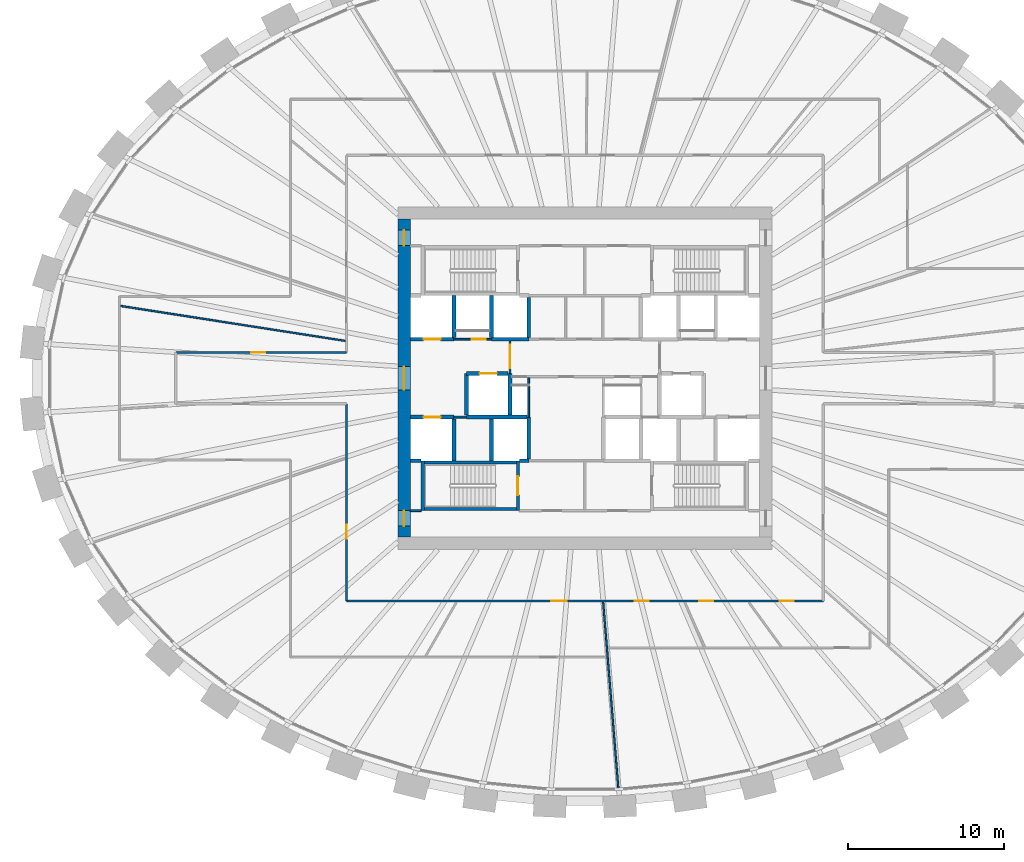
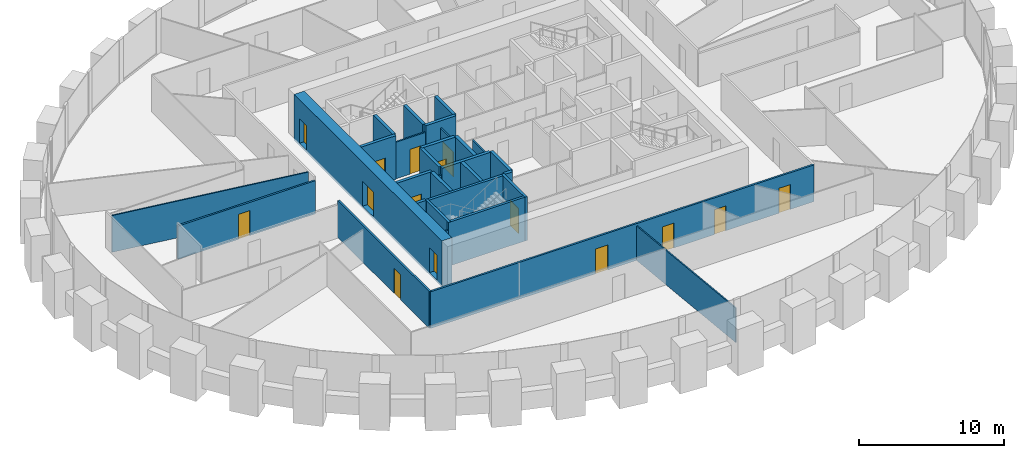
# One storey, part 6 of 11: 30 walls, 15 doors, 15 openings.
"""IFC4 building model written with IfcOpenShell, lengths in metres."""

from ifc_helpers import new_model, si_unit, direction, frame, frame_2d, origin, place, context, subcontext, project, spatial, rectangle, extrude, source, transform, mapped, material, layer, layer_set, type_object, element, fill, save


model = new_model("IFC4")

# Units and contexts
model_context = context("Model", 3, precision=1e-05, world=origin(), true_north=direction((0.0, 1.0)))
body_context = subcontext(model_context, "Body", "Model", "MODEL_VIEW")
ifc_project = project(units=[si_unit("LENGTHUNIT", "METRE"), si_unit("AREAUNIT", "SQUARE_METRE"), si_unit("VOLUMEUNIT", "CUBIC_METRE"), si_unit("PLANEANGLEUNIT", "RADIAN"), si_unit("MASSUNIT", "GRAM", prefix="KILO")], contexts=[model_context])

# Site, building, storey
site_placement = place(None, origin())
site = spatial("IfcSite", under=ifc_project, at=site_placement, CompositionType="ELEMENT")
building_placement = place(site_placement, origin())
building = spatial("IfcBuilding", under=site, at=building_placement, Name="Embergate Tower", CompositionType="ELEMENT")
storey_placement = place(building_placement, frame((0.0, 0.0, 215.10009765625)))
storey = spatial("IfcBuildingStorey", under=building, at=storey_placement, Name="L49", CompositionType="ELEMENT", Elevation=215.10009765625)

# Wall, openings, doors
ifc_material_1 = material(Name="Concrete C70", Category="concrete")
ifc_layer_1 = layer(ifc_material_1, 0.800048828125)
ifc_layer_set_1 = layer_set([ifc_layer_1], Name="Concrete C70")
wall_type_1 = type_object("IfcWallType", Name="Core outer wall C70 800", PredefinedType="SHEAR", material=ifc_layer_set_1)
shared_shape_1 = source(origin(), body_context, "Body", "SweptSolid", [
    extrude(rectangle(XDim=20.39990234375, YDim=0.800048828125, at=frame_2d((10.199951171875, 0.0))), origin(), (0.0, 0.0, 1.0), 3.900146484375),
])
wall_1_placement = place(storey_placement, frame((-11.60009765625, -10.199951171875, -0.2001953125), z_axis=(0.0, 0.0, 1.0), x_axis=(0.0, 1.0, 0.0)))
wall_1 = element("IfcWall", 1, at=wall_1_placement, inside=storey, type_object=wall_type_1, Name="CW-L49-W", PredefinedType="SHEAR", context=body_context, shape_type="MappedRepresentation", body=[
    mapped(shared_shape_1, transform((0.0, 0.0, 0.0))),
])
shared_shape_2 = source(origin(), body_context, "Body", "SweptSolid", [
    extrude(rectangle(XDim=1.0, YDim=2.10009765625, at=frame_2d((0.5, 1.050048828125))), frame((0.0, 0.409912109375, 0.0), z_axis=(0.0, -1.0, 0.0), x_axis=(1.0, 0.0, 0.0)), (0.0, 0.0, 1.0), 0.820068359375),
])
opening_1_placement = place(wall_1_placement, frame((18.699951171875, 0.0, 0.199951171875)))
opening_1 = element("IfcOpeningElement", 2, at=opening_1_placement, cuts=wall_1, Name="Opening IF-1d", PredefinedType="OPENING", context=body_context, shape_type="MappedRepresentation", body=[
    mapped(shared_shape_2, transform((0.0, 0.0, 0.0))),
])
opening_2_placement = place(wall_1_placement, frame((0.699951171875, 0.0, 0.199951171875)))
opening_2 = element("IfcOpeningElement", 3, at=opening_2_placement, cuts=wall_1, Name="Opening IF-1d", PredefinedType="OPENING", context=body_context, shape_type="MappedRepresentation", body=[
    mapped(shared_shape_2, transform((0.0, 0.0, 0.0))),
])
shared_shape_3 = source(origin(), body_context, "Body", "SweptSolid", [
    extrude(rectangle(XDim=1.5, YDim=2.10009765625, at=frame_2d((0.75, 1.050048828125))), frame((0.0, 0.409912109375, 0.0), z_axis=(0.0, -1.0, 0.0), x_axis=(1.0, 0.0, 0.0)), (0.0, 0.0, 1.0), 0.820068359375),
])
opening_3_placement = place(wall_1_placement, frame((9.449951171875, 0.0, 0.199951171875)))
opening_3 = element("IfcOpeningElement", 4, at=opening_3_placement, cuts=wall_1, Name="Opening IF-3", PredefinedType="OPENING", context=body_context, shape_type="MappedRepresentation", body=[
    mapped(shared_shape_3, transform((0.0, 0.0, 0.0))),
])
ifc_material_2 = material(Name="Lobby fire door pair 1500")
door_type_1 = type_object("IfcDoorType", Name="Lobby fire door pair 1500", OperationType="DOUBLE_DOOR_SINGLE_SWING", PredefinedType="DOOR", material=ifc_material_2)
shared_shape_4 = source(origin(), body_context, "Body", "SweptSolid", [
    extrude(rectangle(XDim=1.5, YDim=2.10009765625, at=frame_2d((0.75, 1.050048828125))), frame((0.0, 0.02490234375, 0.0), z_axis=(0.0, -1.0, 0.0), x_axis=(1.0, 0.0, 0.0)), (0.0, 0.0, 1.0), 0.050048828125),
])
door_1_placement = place(opening_3_placement, origin())
door_1 = element("IfcDoor", 5, at=door_1_placement, inside=storey, type_object=door_type_1, Name="IF-3 door", OperationType="DOUBLE_DOOR_SINGLE_SWING", OverallHeight=2.10009765625, OverallWidth=1.5, PredefinedType="DOOR", context=body_context, shape_type="MappedRepresentation", body=[
    mapped(shared_shape_4, transform((0.0, 0.0, 0.0))),
])
fill(opening_3, door_1)
ifc_material_3 = material(Name="Escape fire door 1000")
door_type_2 = type_object("IfcDoorType", Name="Escape fire door 1000", OperationType="SINGLE_SWING_LEFT", PredefinedType="DOOR", material=ifc_material_3)
shared_shape_5 = source(origin(), body_context, "Body", "SweptSolid", [
    extrude(rectangle(XDim=1.0, YDim=2.10009765625, at=frame_2d((0.5, 1.050048828125))), frame((0.0, 0.02490234375, 0.0), z_axis=(0.0, -1.0, 0.0), x_axis=(1.0, 0.0, 0.0)), (0.0, 0.0, 1.0), 0.050048828125),
])
door_2_placement = place(opening_1_placement, origin())
door_2 = element("IfcDoor", 6, at=door_2_placement, inside=storey, type_object=door_type_2, Name="IF-1 door", OperationType="SINGLE_SWING_LEFT", OverallHeight=2.10009765625, OverallWidth=1.0, PredefinedType="DOOR", context=body_context, shape_type="MappedRepresentation", body=[
    mapped(shared_shape_5, transform((0.0, 0.0, 0.0))),
])
fill(opening_1, door_2)
door_3_placement = place(opening_2_placement, origin())
door_3 = element("IfcDoor", 7, at=door_3_placement, inside=storey, type_object=door_type_2, Name="IF-1 door", OperationType="SINGLE_SWING_RIGHT", OverallHeight=2.10009765625, OverallWidth=1.0, PredefinedType="DOOR", context=body_context, shape_type="MappedRepresentation", body=[
    mapped(shared_shape_5, transform((0.0, 0.0, 0.0))),
])
fill(opening_2, door_3)

# Walls
ifc_material_4 = material(Name="Concrete C50", Category="concrete")
ifc_layer_2 = layer(ifc_material_4, 0.25)
ifc_layer_set_2 = layer_set([ifc_layer_2], Name="Concrete C50")
wall_type_2 = type_object("IfcWallType", Name="Hoistway wall reinforced concrete 250", PredefinedType="SHEAR", material=ifc_layer_set_2)
shared_shape_6 = source(origin(), body_context, "Body", "SweptSolid", [
    extrude(rectangle(XDim=2.675048828125, YDim=0.25, at=frame_2d((1.33740234375, 0.0))), origin(), (0.0, 0.0, 1.0), 3.699951171875),
])
for number, where, z_axis, x_axis, name in (
    (8, (-8.39990234375, 2.625, 0.0), (0.0, 0.0, 1.0), (0.0, 1.0, 0.0), "HW-1 wall"),
    (9, (-6.0, 2.625, 0.0), (0.0, 0.0, 1.0), (0.0, 1.0, 0.0), "HW-1 wall"),
    (10, (-3.60009765625, -5.175048828125, 0.0), (0.0, 0.0, 1.0), (0.0, 1.0, 0.0), "HW-1 wall"),
    (11, (-4.800048828125, 0.300048828125, 0.0), (0.0, 0.0, 1.0), (0.0, -1.0, 0.0), "HW-1 wall"),
):
    element("IfcWall", number, at=place(storey_placement, frame(where, z_axis=z_axis, x_axis=x_axis)), inside=storey, type_object=wall_type_2, Name=name, PredefinedType="SHEAR", context=body_context, shape_type="MappedRepresentation", body=[
        mapped(shared_shape_6, transform((0.0, 0.0, 0.0))),
    ])

# Wall, opening, door
wall_2_placement = place(storey_placement, frame((-4.925048828125, 0.300048828125, 0.0), z_axis=(0.0, 0.0, 1.0), x_axis=(-1.0, 0.0, 0.0)))
wall_2 = element("IfcWall", 12, at=wall_2_placement, inside=storey, type_object=wall_type_2, Name="HW-1 wall", PredefinedType="SHEAR", context=body_context, shape_type="MappedRepresentation", body=[
    mapped(shared_shape_6, transform((0.0, 0.0, 0.0))),
])
shared_shape_7 = source(origin(), body_context, "Body", "SweptSolid", [
    extrude(rectangle(XDim=1.10009765625, YDim=2.10009765625, at=frame_2d((0.550048828125, 1.050048828125))), frame((0.0, 0.135009765625, 0.0), z_axis=(0.0, -1.0, 0.0), x_axis=(1.0, 0.0, 0.0)), (0.0, 0.0, 1.0), 0.27001953125),
])
opening_4_placement = place(wall_2_placement, frame((0.72509765625, 0.0, 0.0)))
opening_4 = element("IfcOpeningElement", 13, at=opening_4_placement, cuts=wall_2, Name="Opening LD", PredefinedType="OPENING", context=body_context, shape_type="MappedRepresentation", body=[
    mapped(shared_shape_7, transform((0.0, 0.0, 0.0))),
])
ifc_material_5 = material(Name="Landing door sliding 1100")
door_type_3 = type_object("IfcDoorType", Name="Landing door sliding 1100", OperationType="SLIDING_TO_LEFT", PredefinedType="DOOR", material=ifc_material_5)
shared_shape_8 = source(origin(), body_context, "Body", "SweptSolid", [
    extrude(rectangle(XDim=1.10009765625, YDim=2.10009765625, at=frame_2d((0.550048828125, 1.050048828125))), frame((0.0, 0.02490234375, 0.0), z_axis=(0.0, -1.0, 0.0), x_axis=(1.0, 0.0, 0.0)), (0.0, 0.0, 1.0), 0.050048828125),
])
door_4_placement = place(opening_4_placement, origin())
door_4 = element("IfcDoor", 14, at=door_4_placement, inside=storey, type_object=door_type_3, Name="LD door", OperationType="SLIDING_TO_RIGHT", OverallHeight=2.10009765625, OverallWidth=1.10009765625, PredefinedType="DOOR", context=body_context, shape_type="MappedRepresentation", body=[
    mapped(shared_shape_8, transform((0.0, 0.0, 0.0))),
])
fill(opening_4, door_4)

# Walls
wall_3_placement = place(storey_placement, frame((-7.60009765625, 0.300048828125, 0.0), z_axis=(0.0, 0.0, 1.0), x_axis=(0.0, -1.0, 0.0)))
element("IfcWall", 15, at=wall_3_placement, inside=storey, type_object=wall_type_2, Name="HW-1 wall", PredefinedType="SHEAR", context=body_context, shape_type="MappedRepresentation", body=[
    mapped(shared_shape_6, transform((0.0, 0.0, 0.0))),
])
ifc_layer_3 = layer(ifc_material_4, 0.199951171875)
ifc_layer_set_3 = layer_set([ifc_layer_3], Name="Concrete C50")
wall_type_3 = type_object("IfcWallType", Name="Stair enclosure wall reinforced concrete 250", PredefinedType="SHEAR", material=ifc_layer_set_3)
shared_shape_9 = source(origin(), body_context, "Body", "SweptSolid", [
    extrude(rectangle(XDim=6.300048828125, YDim=0.199951171875, at=frame_2d((3.14990234375, 0.0))), origin(), (0.0, 0.0, 1.0), 3.699951171875),
])
for number, where, z_axis, x_axis, name in (
    (16, (-10.5, -5.39990234375, 0.0), (0.0, 0.0, 1.0), (1.0, 0.0, 0.0), "SE-1 wall"),
    (17, (-10.5, -8.39990234375, 0.0), (0.0, 0.0, 1.0), (1.0, 0.0, 0.0), "SE-1 wall"),
):
    element("IfcWall", number, at=place(storey_placement, frame(where, z_axis=z_axis, x_axis=x_axis)), inside=storey, type_object=wall_type_3, Name=name, PredefinedType="SHEAR", context=body_context, shape_type="MappedRepresentation", body=[
        mapped(shared_shape_9, transform((0.0, 0.0, 0.0))),
    ])
shared_shape_10 = source(origin(), body_context, "Body", "SweptSolid", [
    extrude(rectangle(XDim=2.550048828125, YDim=0.25, at=frame_2d((1.27490234375, 0.0))), origin(), (0.0, 0.0, 1.0), 3.699951171875),
])
wall_4_placement = place(storey_placement, frame((-3.60009765625, 2.625, 0.0), z_axis=(0.0, 0.0, 1.0), x_axis=(0.0, 1.0, 0.0)))
element("IfcWall", 18, at=wall_4_placement, inside=storey, type_object=wall_type_2, Name="HW-1 wall", PredefinedType="SHEAR", context=body_context, shape_type="MappedRepresentation", body=[
    mapped(shared_shape_10, transform((0.0, 0.0, 0.0))),
])

# Wall, opening, door
shared_shape_11 = source(origin(), body_context, "Body", "SweptSolid", [
    extrude(rectangle(XDim=3.199951171875, YDim=0.199951171875, at=frame_2d((1.60009765625, 0.0))), origin(), (0.0, 0.0, 1.0), 3.699951171875),
])
wall_5_placement = place(storey_placement, frame((-4.300048828125, -8.5, 0.0), z_axis=(0.0, 0.0, 1.0), x_axis=(0.0, 1.0, 0.0)))
wall_5 = element("IfcWall", 19, at=wall_5_placement, inside=storey, type_object=wall_type_3, Name="SE-1 wall", PredefinedType="SHEAR", context=body_context, shape_type="MappedRepresentation", body=[
    mapped(shared_shape_11, transform((0.0, 0.0, 0.0))),
])
shared_shape_12 = source(origin(), body_context, "Body", "SweptSolid", [
    extrude(rectangle(XDim=1.199951171875, YDim=2.10009765625, at=frame_2d((0.60009765625, 1.050048828125))), frame((0.0, 0.10986328125, 0.0), z_axis=(0.0, -1.0, 0.0), x_axis=(1.0, 0.0, 0.0)), (0.0, 0.0, 1.0), 0.219970703125),
])
opening_5_placement = place(wall_5_placement, frame((1.0, 0.0, 0.0)))
opening_5 = element("IfcOpeningElement", 20, at=opening_5_placement, cuts=wall_5, Name="Opening IF-2", PredefinedType="OPENING", context=body_context, shape_type="MappedRepresentation", body=[
    mapped(shared_shape_12, transform((0.0, 0.0, 0.0))),
])
ifc_material_6 = material(Name="Stair enclosure door 1200")
door_type_4 = type_object("IfcDoorType", Name="Stair enclosure door 1200", OperationType="SINGLE_SWING_LEFT", PredefinedType="DOOR", material=ifc_material_6)
shared_shape_13 = source(origin(), body_context, "Body", "SweptSolid", [
    extrude(rectangle(XDim=1.199951171875, YDim=2.10009765625, at=frame_2d((0.60009765625, 1.050048828125))), frame((0.0, 0.02490234375, 0.0), z_axis=(0.0, -1.0, 0.0), x_axis=(1.0, 0.0, 0.0)), (0.0, 0.0, 1.0), 0.050048828125),
])
door_5_placement = place(opening_5_placement, origin())
door_5 = element("IfcDoor", 21, at=door_5_placement, inside=storey, type_object=door_type_4, Name="IF-2 door", OperationType="SINGLE_SWING_RIGHT", OverallHeight=2.10009765625, OverallWidth=1.199951171875, PredefinedType="DOOR", context=body_context, shape_type="MappedRepresentation", body=[
    mapped(shared_shape_13, transform((0.0, 0.0, 0.0))),
])
fill(opening_5, door_5)

# Wall
shared_shape_14 = source(origin(), body_context, "Body", "SweptSolid", [
    extrude(rectangle(XDim=2.39990234375, YDim=0.25, at=frame_2d((1.199951171875, 0.0))), origin(), (0.0, 0.0, 1.0), 3.699951171875),
])
wall_6_placement = place(storey_placement, frame((-6.0, 2.5, 0.0), z_axis=(0.0, 0.0, 1.0), x_axis=(1.0, 0.0, 0.0)))
element("IfcWall", 22, at=wall_6_placement, inside=storey, type_object=wall_type_2, Name="HW-1 wall", PredefinedType="SHEAR", context=body_context, shape_type="MappedRepresentation", body=[
    mapped(shared_shape_14, transform((0.0, 0.0, 0.0))),
])

# Wall, opening, door
ifc_material_7 = material(Name="Core partition blockwork 120")
ifc_layer_4 = layer(ifc_material_7, 0.1201171875)
ifc_layer_set_4 = layer_set([ifc_layer_4], Name="Core partition blockwork 120")
wall_type_4 = type_object("IfcWallType", Name="Core partition blockwork 120", PredefinedType="PARTITIONING", material=ifc_layer_set_4)
shared_shape_15 = source(origin(), body_context, "Body", "SweptSolid", [
    extrude(rectangle(XDim=2.074951171875, YDim=0.1201171875, at=frame_2d((1.03759765625, 0.0))), origin(), (0.0, 0.0, 1.0), 3.099853515625),
])
wall_7_placement = place(storey_placement, frame((-4.800048828125, 2.375, 0.0), z_axis=(0.0, 0.0, 1.0), x_axis=(0.0, -1.0, 0.0)))
wall_7 = element("IfcWall", 23, at=wall_7_placement, inside=storey, type_object=wall_type_4, Name="IP-3 wall", PredefinedType="PARTITIONING", context=body_context, shape_type="MappedRepresentation", body=[
    mapped(shared_shape_15, transform((0.0, 0.0, 0.0))),
])
shared_shape_16 = source(origin(), body_context, "Body", "SweptSolid", [
    extrude(rectangle(XDim=1.5, YDim=2.10009765625, at=frame_2d((0.75, 1.050048828125))), frame((0.0, 0.070068359375, 0.0), z_axis=(0.0, -1.0, 0.0), x_axis=(1.0, 0.0, 0.0)), (0.0, 0.0, 1.0), 0.14013671875),
])
opening_6_placement = place(wall_7_placement, frame((0.22509765625, 0.0, 0.0)))
opening_6 = element("IfcOpeningElement", 24, at=opening_6_placement, cuts=wall_7, Name="Opening IF-3", PredefinedType="OPENING", context=body_context, shape_type="MappedRepresentation", body=[
    mapped(shared_shape_16, transform((0.0, 0.0, 0.0))),
])
door_6_placement = place(opening_6_placement, origin())
door_6 = element("IfcDoor", 25, at=door_6_placement, inside=storey, type_object=door_type_1, Name="IF-3 door", OperationType="DOUBLE_DOOR_SINGLE_SWING", OverallHeight=2.10009765625, OverallWidth=1.5, PredefinedType="DOOR", context=body_context, shape_type="MappedRepresentation", body=[
    mapped(shared_shape_4, transform((0.0, 0.0, 0.0))),
])
fill(opening_6, door_6)

shared_shape_17 = source(origin(), body_context, "Body", "SweptSolid", [
    extrude(rectangle(XDim=2.800048828125, YDim=0.25, at=frame_2d((1.39990234375, 0.0))), origin(), (0.0, 0.0, 1.0), 3.699951171875),
])
wall_8_placement = place(storey_placement, frame((-11.199951171875, 2.5, 0.0), z_axis=(0.0, 0.0, 1.0), x_axis=(1.0, 0.0, 0.0)))
wall_8 = element("IfcWall", 26, at=wall_8_placement, inside=storey, type_object=wall_type_2, Name="HW-1 wall", PredefinedType="SHEAR", context=body_context, shape_type="MappedRepresentation", body=[
    mapped(shared_shape_17, transform((0.0, 0.0, 0.0))),
])
opening_7_placement = place(wall_8_placement, frame((0.85009765625, 0.0, 0.0)))
opening_7 = element("IfcOpeningElement", 27, at=opening_7_placement, cuts=wall_8, Name="Opening LD", PredefinedType="OPENING", context=body_context, shape_type="MappedRepresentation", body=[
    mapped(shared_shape_7, transform((0.0, 0.0, 0.0))),
])
door_7_placement = place(opening_7_placement, origin())
door_7 = element("IfcDoor", 28, at=door_7_placement, inside=storey, type_object=door_type_3, Name="LD door", OperationType="SLIDING_TO_LEFT", OverallHeight=2.10009765625, OverallWidth=1.10009765625, PredefinedType="DOOR", context=body_context, shape_type="MappedRepresentation", body=[
    mapped(shared_shape_8, transform((0.0, 0.0, 0.0))),
])
fill(opening_7, door_7)

wall_9_placement = place(storey_placement, frame((-8.39990234375, -2.5, 0.0), z_axis=(0.0, 0.0, 1.0), x_axis=(-1.0, 0.0, 0.0)))
wall_9 = element("IfcWall", 29, at=wall_9_placement, inside=storey, type_object=wall_type_2, Name="HW-1 wall", PredefinedType="SHEAR", context=body_context, shape_type="MappedRepresentation", body=[
    mapped(shared_shape_17, transform((0.0, 0.0, 0.0))),
])
opening_8_placement = place(wall_9_placement, frame((0.85009765625, 0.0, 0.0)))
opening_8 = element("IfcOpeningElement", 30, at=opening_8_placement, cuts=wall_9, Name="Opening LD", PredefinedType="OPENING", context=body_context, shape_type="MappedRepresentation", body=[
    mapped(shared_shape_7, transform((0.0, 0.0, 0.0))),
])
door_8_placement = place(opening_8_placement, origin())
door_8 = element("IfcDoor", 31, at=door_8_placement, inside=storey, type_object=door_type_3, Name="LD door", OperationType="SLIDING_TO_RIGHT", OverallHeight=2.10009765625, OverallWidth=1.10009765625, PredefinedType="DOOR", context=body_context, shape_type="MappedRepresentation", body=[
    mapped(shared_shape_8, transform((0.0, 0.0, 0.0))),
])
fill(opening_8, door_8)

# Walls
shared_shape_18 = source(origin(), body_context, "Body", "SweptSolid", [
    extrude(rectangle(XDim=0.599853515625, YDim=0.25, at=frame_2d((0.2998046875, 0.0))), origin(), (0.0, 0.0, 1.0), 3.699951171875),
])
wall_10_placement = place(storey_placement, frame((-4.199951171875, -5.300048828125, 0.0), z_axis=(0.0, 0.0, 1.0), x_axis=(1.0, 0.0, 0.0)))
element("IfcWall", 32, at=wall_10_placement, inside=storey, type_object=wall_type_2, Name="HW-1 wall", PredefinedType="SHEAR", context=body_context, shape_type="MappedRepresentation", body=[
    mapped(shared_shape_18, transform((0.0, 0.0, 0.0))),
])
shared_shape_19 = source(origin(), body_context, "Body", "SweptSolid", [
    extrude(rectangle(XDim=3.872802734375, YDim=0.25, at=frame_2d((1.9365234375, 0.0))), origin(), (0.0, 0.0, 1.0), 3.699951171875),
])
wall_11_placement = place(storey_placement, frame((-3.72509765625, -2.5, 0.0), z_axis=(0.0, 0.0, 1.0), x_axis=(-1.0, 0.0, 0.0)))
element("IfcWall", 33, at=wall_11_placement, inside=storey, type_object=wall_type_2, Name="HW-1 wall", PredefinedType="SHEAR", context=body_context, shape_type="MappedRepresentation", body=[
    mapped(shared_shape_19, transform((0.0, 0.0, 0.0))),
])
shared_shape_20 = source(origin(), body_context, "Body", "SweptSolid", [
    extrude(rectangle(XDim=3.196044921875, YDim=0.199951171875, at=frame_2d((1.59814453125, 0.0))), origin(), (0.0, 0.0, 1.0), 3.699951171875),
])
wall_12_placement = place(storey_placement, frame((-10.39990234375, -5.302001953125, 0.0), z_axis=(0.0, 0.0, 1.0), x_axis=(0.0, -1.0, 0.0)))
element("IfcWall", 34, at=wall_12_placement, inside=storey, type_object=wall_type_3, Name="SE-1 wall", PredefinedType="SHEAR", context=body_context, shape_type="MappedRepresentation", body=[
    mapped(shared_shape_20, transform((0.0, 0.0, 0.0))),
])
shared_shape_21 = source(origin(), body_context, "Body", "SweptSolid", [
    extrude(rectangle(XDim=0.697998046875, YDim=0.25, at=frame_2d((0.34912109375, 0.0))), origin(), (0.0, 0.0, 1.0), 3.699951171875),
])
wall_13_placement = place(storey_placement, frame((-11.199951171875, -5.300048828125, 0.0), z_axis=(0.0, 0.0, 1.0), x_axis=(1.0, 0.0, 0.0)))
element("IfcWall", 35, at=wall_13_placement, inside=storey, type_object=wall_type_2, Name="HW-1 wall", PredefinedType="SHEAR", context=body_context, shape_type="MappedRepresentation", body=[
    mapped(shared_shape_21, transform((0.0, 0.0, 0.0))),
])
shared_shape_22 = source(origin(), body_context, "Body", "SweptSolid", [
    extrude(rectangle(XDim=2.671142578125, YDim=0.25, at=frame_2d((1.33544921875, 0.0))), origin(), (0.0, 0.0, 1.0), 3.699951171875),
])
for number, where, z_axis, x_axis, name in (
    (36, (-8.39990234375, -5.298095703125, 0.0), (0.0, 0.0, 1.0), (0.0, 1.0, 0.0), "HW-1 wall"),
    (37, (-6.0, -2.626953125, 0.0), (0.0, 0.0, 1.0), (0.0, -1.0, 0.0), "HW-1 wall"),
):
    element("IfcWall", number, at=place(storey_placement, frame(where, z_axis=z_axis, x_axis=x_axis)), inside=storey, type_object=wall_type_2, Name=name, PredefinedType="SHEAR", context=body_context, shape_type="MappedRepresentation", body=[
        mapped(shared_shape_22, transform((0.0, 0.0, 0.0))),
    ])

# Wall, opening, door
shared_shape_23 = source(origin(), body_context, "Body", "SweptSolid", [
    extrude(rectangle(XDim=2.39990234375, YDim=0.1201171875, at=frame_2d((1.199951171875, 0.0))), origin(), (0.0, 0.0, 1.0), 3.099853515625),
])
wall_14_placement = place(storey_placement, frame((-8.39990234375, 2.5, 0.0), z_axis=(0.0, 0.0, 1.0), x_axis=(1.0, 0.0, 0.0)))
wall_14 = element("IfcWall", 38, at=wall_14_placement, inside=storey, type_object=wall_type_4, Name="IP-3 wall", PredefinedType="PARTITIONING", context=body_context, shape_type="MappedRepresentation", body=[
    mapped(shared_shape_23, transform((0.0, 0.0, 0.0))),
])
shared_shape_24 = source(origin(), body_context, "Body", "SweptSolid", [
    extrude(rectangle(XDim=0.89990234375, YDim=2.10009765625, at=frame_2d((0.449951171875, 1.050048828125))), frame((0.0, 0.070068359375, 0.0), z_axis=(0.0, -1.0, 0.0), x_axis=(1.0, 0.0, 0.0)), (0.0, 0.0, 1.0), 0.14013671875),
])
opening_9_placement = place(wall_14_placement, frame((1.14990234375, 0.0, 0.0)))
opening_9 = element("IfcOpeningElement", 39, at=opening_9_placement, cuts=wall_14, Name="Opening ID-1", PredefinedType="OPENING", context=body_context, shape_type="MappedRepresentation", body=[
    mapped(shared_shape_24, transform((0.0, 0.0, 0.0))),
])
ifc_material_8 = material(Name="Interior door 900")
door_type_5 = type_object("IfcDoorType", Name="Interior door 900", OperationType="SINGLE_SWING_LEFT", PredefinedType="DOOR", material=ifc_material_8)
shared_shape_25 = source(origin(), body_context, "Body", "SweptSolid", [
    extrude(rectangle(XDim=0.89990234375, YDim=2.10009765625, at=frame_2d((0.449951171875, 1.050048828125))), frame((0.0, 0.02490234375, 0.0), z_axis=(0.0, -1.0, 0.0), x_axis=(1.0, 0.0, 0.0)), (0.0, 0.0, 1.0), 0.050048828125),
])
door_9_placement = place(opening_9_placement, origin())
door_9 = element("IfcDoor", 40, at=door_9_placement, inside=storey, type_object=door_type_5, Name="ID-1 door", OperationType="SINGLE_SWING_LEFT", OverallHeight=2.10009765625, OverallWidth=0.89990234375, PredefinedType="DOOR", context=body_context, shape_type="MappedRepresentation", body=[
    mapped(shared_shape_25, transform((0.0, 0.0, 0.0))),
])
fill(opening_9, door_9)

# Walls
shared_shape_26 = source(origin(), body_context, "Body", "SweptSolid", [
    extrude(rectangle(XDim=2.5400390625, YDim=0.1201171875, at=frame_2d((1.27001953125, 0.0))), origin(), (0.0, 0.0, 1.0), 3.099853515625),
])
wall_15_placement = place(storey_placement, frame((-3.60009765625, -2.5, 0.0), z_axis=(0.0, 0.0, 1.0), x_axis=(0.0, 1.0, 0.0)))
element("IfcWall", 41, at=wall_15_placement, inside=storey, type_object=wall_type_4, Name="IP-3 wall", PredefinedType="PARTITIONING", context=body_context, shape_type="MappedRepresentation", body=[
    mapped(shared_shape_26, transform((0.0, 0.0, 0.0))),
])
shared_shape_27 = source(origin(), body_context, "Body", "SweptSolid", [
    extrude(rectangle(XDim=0.7958984375, YDim=0.1201171875, at=frame_2d((0.39794921875, 0.0))), origin(), (0.0, 0.0, 1.0), 3.099853515625),
])
wall_16_placement = place(storey_placement, frame((-8.39794921875, -2.5, 0.0), z_axis=(0.0, 0.0, 1.0), x_axis=(1.0, 0.0, 0.0)))
element("IfcWall", 42, at=wall_16_placement, inside=storey, type_object=wall_type_4, Name="IP-3 wall", PredefinedType="PARTITIONING", context=body_context, shape_type="MappedRepresentation", body=[
    mapped(shared_shape_27, transform((0.0, 0.0, 0.0))),
])
shared_shape_28 = source(origin(), body_context, "Body", "SweptSolid", [
    extrude(rectangle(XDim=0.697998046875, YDim=0.1201171875, at=frame_2d((0.34912109375, 0.0))), origin(), (0.0, 0.0, 1.0), 3.099853515625),
])
wall_17_placement = place(storey_placement, frame((-10.501953125, -8.5, 0.0), z_axis=(0.0, 0.0, 1.0), x_axis=(-1.0, 0.0, 0.0)))
element("IfcWall", 43, at=wall_17_placement, inside=storey, type_object=wall_type_4, Name="IP-3 wall", PredefinedType="PARTITIONING", context=body_context, shape_type="MappedRepresentation", body=[
    mapped(shared_shape_28, transform((0.0, 0.0, 0.0))),
])

# Wall, opening, door
ifc_material_9 = material(Name="Corridor wall dry-lined 150")
ifc_layer_5 = layer(ifc_material_9, 0.14990234375)
ifc_layer_set_5 = layer_set([ifc_layer_5], Name="Corridor wall dry-lined 150")
wall_type_5 = type_object("IfcWallType", Name="Corridor wall dry-lined 150", PredefinedType="PARTITIONING", material=ifc_layer_set_5)
shared_shape_29 = source(origin(), body_context, "Body", "SweptSolid", [
    extrude(rectangle(XDim=10.949951171875, YDim=0.14990234375, at=frame_2d((5.47509765625, 0.0))), origin(), (0.0, 0.0, 1.0), 2.7998046875),
])
wall_18_placement = place(storey_placement, frame((-15.300048828125, 1.64990234375, 0.0), z_axis=(0.0, 0.0, 1.0), x_axis=(-1.0, 0.0, 0.0)))
wall_18 = element("IfcWall", 44, at=wall_18_placement, inside=storey, type_object=wall_type_5, Name="IP-2 wall", PredefinedType="PARTITIONING", context=body_context, shape_type="MappedRepresentation", body=[
    mapped(shared_shape_29, transform((0.0, 0.0, 0.0))),
])
shared_shape_30 = source(origin(), body_context, "Body", "SweptSolid", [
    extrude(rectangle(XDim=0.89990234375, YDim=2.10009765625, at=frame_2d((0.449951171875, 1.050048828125))), frame((0.0, 0.0849609375, 0.0), z_axis=(0.0, -1.0, 0.0), x_axis=(1.0, 0.0, 0.0)), (0.0, 0.0, 1.0), 0.169921875),
])
opening_10_placement = place(wall_18_placement, frame((5.214111328125, 0.0, 0.0)))
opening_10 = element("IfcOpeningElement", 45, at=opening_10_placement, cuts=wall_18, Name="Opening IF-1c", PredefinedType="OPENING", context=body_context, shape_type="MappedRepresentation", body=[
    mapped(shared_shape_30, transform((0.0, 0.0, 0.0))),
])
ifc_material_10 = material(Name="Escape fire door 900")
door_type_6 = type_object("IfcDoorType", Name="Escape fire door 900", OperationType="SINGLE_SWING_LEFT", PredefinedType="DOOR", material=ifc_material_10)
door_10_placement = place(opening_10_placement, origin())
door_10 = element("IfcDoor", 46, at=door_10_placement, inside=storey, type_object=door_type_6, Name="IF-1 door", OperationType="SINGLE_SWING_RIGHT", OverallHeight=2.10009765625, OverallWidth=0.89990234375, PredefinedType="DOOR", context=body_context, shape_type="MappedRepresentation", body=[
    mapped(shared_shape_25, transform((0.0, 0.0, 0.0))),
])
fill(opening_10, door_10)

# Wall, openings, doors
shared_shape_31 = source(origin(), body_context, "Body", "SweptSolid", [
    extrude(rectangle(XDim=30.60009765625, YDim=0.14990234375, at=frame_2d((15.300048828125, 0.0))), origin(), (0.0, 0.0, 1.0), 3.099853515625),
])
wall_19_placement = place(storey_placement, frame((15.300048828125, -14.300048828125, 0.0), z_axis=(0.0, 0.0, 1.0), x_axis=(-1.0, 0.0, 0.0)))
wall_19 = element("IfcWall", 47, at=wall_19_placement, inside=storey, type_object=wall_type_5, Name="IP-2 wall", PredefinedType="PARTITIONING", context=body_context, shape_type="MappedRepresentation", body=[
    mapped(shared_shape_31, transform((0.0, 0.0, 0.0))),
])
shared_shape_32 = source(origin(), body_context, "Body", "SweptSolid", [
    extrude(rectangle(XDim=1.0, YDim=2.10009765625, at=frame_2d((0.5, 1.050048828125))), frame((0.0, 0.0849609375, 0.0), z_axis=(0.0, -1.0, 0.0), x_axis=(1.0, 0.0, 0.0)), (0.0, 0.0, 1.0), 0.169921875),
])
opening_11_placement = place(wall_19_placement, frame((16.448974609375, 0.0, 0.0)))
opening_11 = element("IfcOpeningElement", 48, at=opening_11_placement, cuts=wall_19, Name="Opening ID-2", PredefinedType="OPENING", context=body_context, shape_type="MappedRepresentation", body=[
    mapped(shared_shape_32, transform((0.0, 0.0, 0.0))),
])
opening_12_placement = place(wall_19_placement, frame((11.18994140625, 0.0, 0.0)))
opening_12 = element("IfcOpeningElement", 49, at=opening_12_placement, cuts=wall_19, Name="Opening IF-1c", PredefinedType="OPENING", context=body_context, shape_type="MappedRepresentation", body=[
    mapped(shared_shape_30, transform((0.0, 0.0, 0.0))),
])
opening_13_placement = place(wall_19_placement, frame((7.052001953125, 0.0, 0.0)))
opening_13 = element("IfcOpeningElement", 50, at=opening_13_placement, cuts=wall_19, Name="Opening IF-1c", PredefinedType="OPENING", context=body_context, shape_type="MappedRepresentation", body=[
    mapped(shared_shape_30, transform((0.0, 0.0, 0.0))),
])
opening_14_placement = place(wall_19_placement, frame((1.89990234375, 0.0, 0.0)))
opening_14 = element("IfcOpeningElement", 51, at=opening_14_placement, cuts=wall_19, Name="Opening IF-1c", PredefinedType="OPENING", context=body_context, shape_type="MappedRepresentation", body=[
    mapped(shared_shape_30, transform((0.0, 0.0, 0.0))),
])
door_11_placement = place(opening_12_placement, origin())
door_11 = element("IfcDoor", 52, at=door_11_placement, inside=storey, type_object=door_type_6, Name="IF-1 door", OperationType="SINGLE_SWING_LEFT", OverallHeight=2.10009765625, OverallWidth=0.89990234375, PredefinedType="DOOR", context=body_context, shape_type="MappedRepresentation", body=[
    mapped(shared_shape_25, transform((0.0, 0.0, 0.0))),
])
fill(opening_12, door_11)
door_12_placement = place(opening_13_placement, origin())
door_12 = element("IfcDoor", 53, at=door_12_placement, inside=storey, type_object=door_type_6, Name="IF-1 door", OperationType="SINGLE_SWING_RIGHT", OverallHeight=2.10009765625, OverallWidth=0.89990234375, PredefinedType="DOOR", context=body_context, shape_type="MappedRepresentation", body=[
    mapped(shared_shape_25, transform((0.0, 0.0, 0.0))),
])
fill(opening_13, door_12)
door_13_placement = place(opening_14_placement, origin())
door_13 = element("IfcDoor", 54, at=door_13_placement, inside=storey, type_object=door_type_6, Name="IF-1 door", OperationType="SINGLE_SWING_RIGHT", OverallHeight=2.10009765625, OverallWidth=0.89990234375, PredefinedType="DOOR", context=body_context, shape_type="MappedRepresentation", body=[
    mapped(shared_shape_25, transform((0.0, 0.0, 0.0))),
])
fill(opening_14, door_13)
ifc_material_11 = material(Name="Interior door 1000")
door_type_7 = type_object("IfcDoorType", Name="Interior door 1000", OperationType="SINGLE_SWING_LEFT", PredefinedType="DOOR", material=ifc_material_11)
door_14_placement = place(opening_11_placement, origin())
door_14 = element("IfcDoor", 55, at=door_14_placement, inside=storey, type_object=door_type_7, Name="ID-2 door", OperationType="SINGLE_SWING_LEFT", OverallHeight=2.10009765625, OverallWidth=1.0, PredefinedType="DOOR", context=body_context, shape_type="MappedRepresentation", body=[
    mapped(shared_shape_5, transform((0.0, 0.0, 0.0))),
])
fill(opening_11, door_14)

# Wall, opening, door
shared_shape_33 = source(origin(), body_context, "Body", "SweptSolid", [
    extrude(rectangle(XDim=12.650146484375, YDim=0.14990234375, at=frame_2d((6.3251953125, 0.0))), origin(), (0.0, 0.0, 1.0), 3.099853515625),
])
wall_20_placement = place(storey_placement, frame((-15.300048828125, -14.300048828125, 0.0), z_axis=(0.0, 0.0, 1.0), x_axis=(0.0, 1.0, 0.0)))
wall_20 = element("IfcWall", 56, at=wall_20_placement, inside=storey, type_object=wall_type_5, Name="IP-2 wall", PredefinedType="PARTITIONING", context=body_context, shape_type="MappedRepresentation", body=[
    mapped(shared_shape_33, transform((0.0, 0.0, 0.0))),
])
opening_15_placement = place(wall_20_placement, frame((3.990966796875, 0.0, 0.0)))
opening_15 = element("IfcOpeningElement", 57, at=opening_15_placement, cuts=wall_20, Name="Opening IF-1c", PredefinedType="OPENING", context=body_context, shape_type="MappedRepresentation", body=[
    mapped(shared_shape_30, transform((0.0, 0.0, 0.0))),
])
door_15_placement = place(opening_15_placement, origin())
door_15 = element("IfcDoor", 58, at=door_15_placement, inside=storey, type_object=door_type_6, Name="IF-1 door", OperationType="SINGLE_SWING_LEFT", OverallHeight=2.10009765625, OverallWidth=0.89990234375, PredefinedType="DOOR", context=body_context, shape_type="MappedRepresentation", body=[
    mapped(shared_shape_25, transform((0.0, 0.0, 0.0))),
])
fill(opening_15, door_15)

# Walls
ifc_material_12 = material(Name="Partition dry-lined 100 wet")
ifc_layer_6 = layer(ifc_material_12, 0.10009765625)
ifc_layer_set_6 = layer_set([ifc_layer_6], Name="Partition dry-lined 100 wet")
wall_type_6 = type_object("IfcWallType", Name="Partition dry-lined 100 wet", PredefinedType="PLUMBINGWALL", material=ifc_layer_set_6)
shared_shape_34 = source(origin(), body_context, "Body", "SweptSolid", [
    extrude(rectangle(XDim=12.02783203125, YDim=0.10009765625, at=frame_2d((6.013916015625, 0.0))), origin(), (0.0, 0.0, 1.0), 2.89990234375),
])
wall_21_placement = place(storey_placement, frame((2.154052734375, -26.363037109375, 0.0), z_axis=(0.0, 0.0, 1.0), x_axis=(-0.081394106278, 0.996681995154, 0.0)))
element("IfcWall", 59, at=wall_21_placement, inside=storey, type_object=wall_type_6, Name="IP-1 wall", PredefinedType="PLUMBINGWALL", context=body_context, shape_type="MappedRepresentation", body=[
    mapped(shared_shape_34, transform((0.0, 0.0, 0.0))),
])
ifc_material_13 = material(Name="Partition dry-lined 100")
ifc_layer_7 = layer(ifc_material_13, 0.10009765625)
ifc_layer_set_7 = layer_set([ifc_layer_7], Name="Partition dry-lined 100")
wall_type_7 = type_object("IfcWallType", Name="Partition dry-lined 100", PredefinedType="PARTITIONING", material=ifc_layer_set_7)
shared_shape_35 = source(origin(), body_context, "Body", "SweptSolid", [
    extrude(rectangle(XDim=14.582275390625, YDim=0.10009765625, at=frame_2d((7.291015625, 0.0))), origin(), (0.0, 0.0, 1.0), 3.099853515625),
])
wall_22_placement = place(storey_placement, frame((-15.383056640625, 2.39404296875, 0.0), z_axis=(0.0, 0.0, 1.0), x_axis=(-0.988110704536, 0.153744058689, 0.0)))
element("IfcWall", 60, at=wall_22_placement, inside=storey, type_object=wall_type_7, Name="IP-1 wall", PredefinedType="PARTITIONING", context=body_context, shape_type="MappedRepresentation", body=[
    mapped(shared_shape_35, transform((0.0, 0.0, 0.0))),
])

save(model, "model.ifc")
